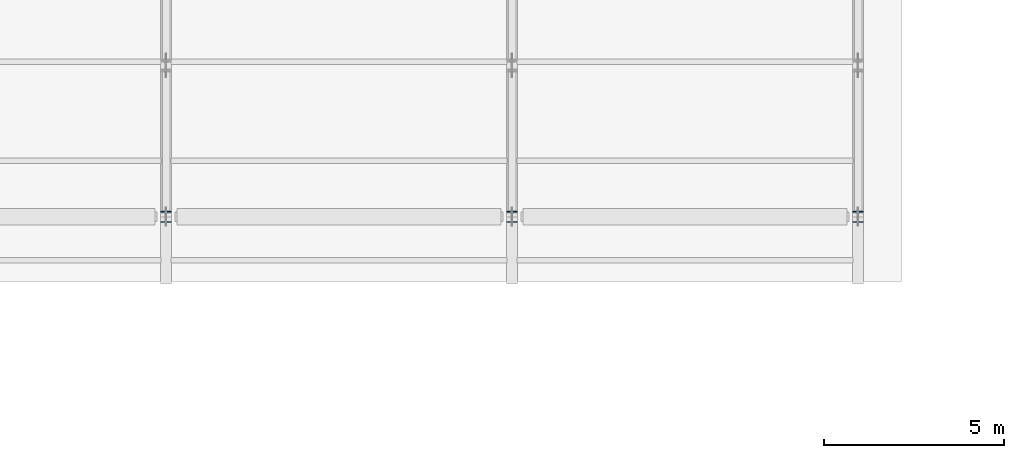
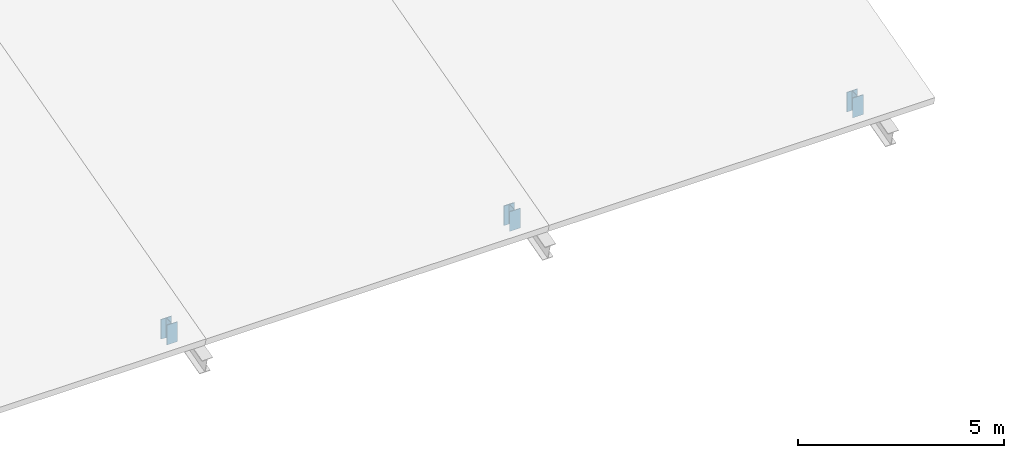
# One storey, part 17 of 37: 3 members.
"""IFC4 building model written with IfcOpenShell, lengths in metres."""

from ifc_helpers import new_model, si_unit, direction, frame, origin, origin_2d, place, context, subcontext, project, spatial, i_section, extrude, material, material_profile, profile_set, type_object, element, save


model = new_model("IFC4")

# Units and contexts
model_context = context("Model", 3, precision=1e-05, world=origin(), true_north=direction((0.0, 1.0)))
body_context = subcontext(model_context, "Body", "Model", "MODEL_VIEW")
ifc_project = project(units=[si_unit("LENGTHUNIT", "METRE"), si_unit("AREAUNIT", "SQUARE_METRE"), si_unit("VOLUMEUNIT", "CUBIC_METRE"), si_unit("PLANEANGLEUNIT", "RADIAN"), si_unit("MASSUNIT", "GRAM", prefix="KILO")], contexts=[model_context])

# Site, building, storey
site_placement = place(None, origin())
site = spatial("IfcSite", under=ifc_project, at=site_placement, CompositionType="ELEMENT")
building_placement = place(site_placement, origin())
building = spatial("IfcBuilding", under=site, at=building_placement, Name="Shalvenor Court Art Gallery", CompositionType="ELEMENT")
storey_placement = place(building_placement, frame((0.0, 0.0, 22.199951171875)))
storey = spatial("IfcBuildingStorey", under=building, at=storey_placement, Name="L04", CompositionType="ELEMENT", Elevation=22.199951171875)

# Members
ifc_material = material(Name="Steel S355", Category="steel")
ifc_material_profile = material_profile(ifc_material, i_section(OverallWidth=0.300048828125, OverallDepth=0.300048828125, WebThickness=0.010986328125, FlangeThickness=0.01904296875, at=origin_2d()), Name="HEB 300")
ifc_profile_set = profile_set([ifc_material_profile], Name="Steel S355")
member_type = type_object("IfcMemberType", Name="TM-V2", PredefinedType="STRUT", material=ifc_profile_set)
for number, where, z_axis, x_axis, name in (
    (1, (105.60009765625, 97.199951171875, -1.1298828125), (0.0, 0.0, 1.0), (1.0, 0.0, 0.0), "TR-V2-06 Roof Truss Vertical 1"),
    (2, (115.199951171875, 97.199951171875, -1.1298828125), (0.0, 0.0, 1.0), (1.0, 0.0, 0.0), "TR-V2-07 Roof Truss Vertical 1"),
    (3, (124.800048828125, 97.199951171875, -1.1298828125), (0.0, 0.0, 1.0), (1.0, 0.0, 0.0), "TR-V2-08 Roof Truss Vertical 1"),
):
    element("IfcMember", number, at=place(storey_placement, frame(where, z_axis=z_axis, x_axis=x_axis)), inside=storey, type_object=member_type, Name=name, PredefinedType="STRUT", context=body_context, shape_type="SweptSolid", body=[
        extrude(i_section(OverallWidth=0.300048828125, OverallDepth=0.300048828125, WebThickness=0.010986328125, FlangeThickness=0.01904296875, at=origin_2d()), origin(), (0.0, 0.0, 1.0), 0.584228515625),
    ])

save(model, "model.ifc")
